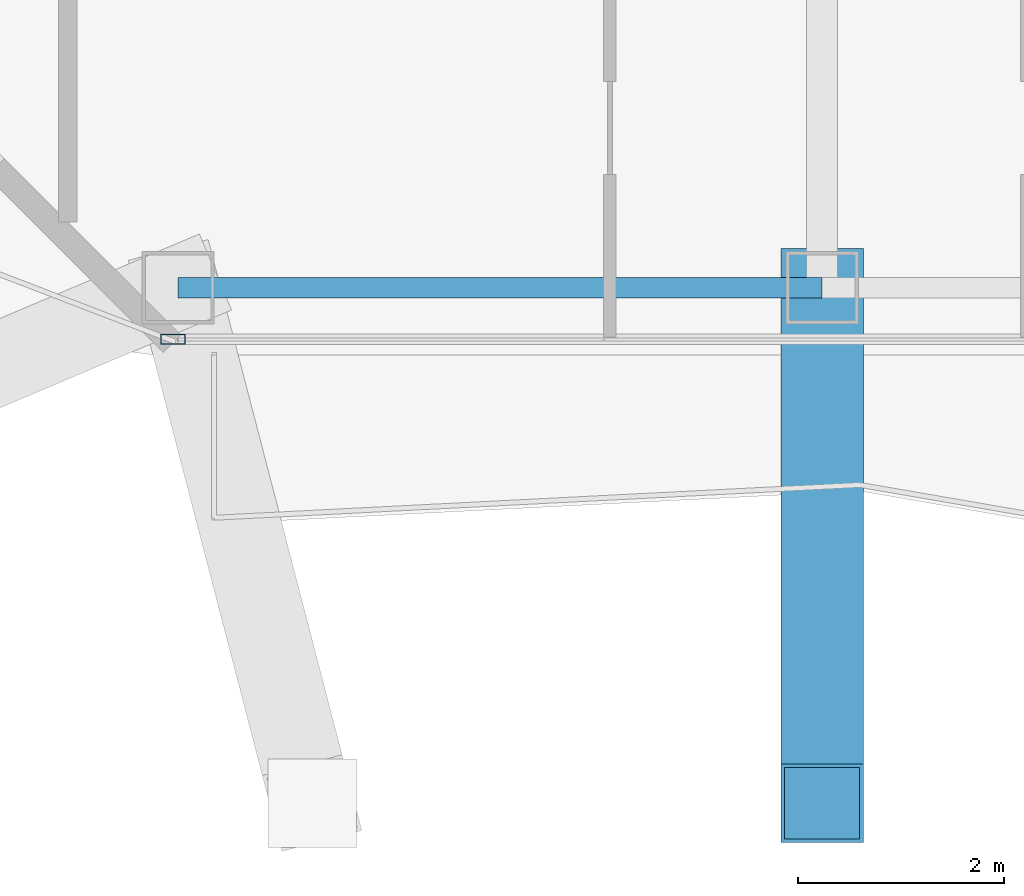
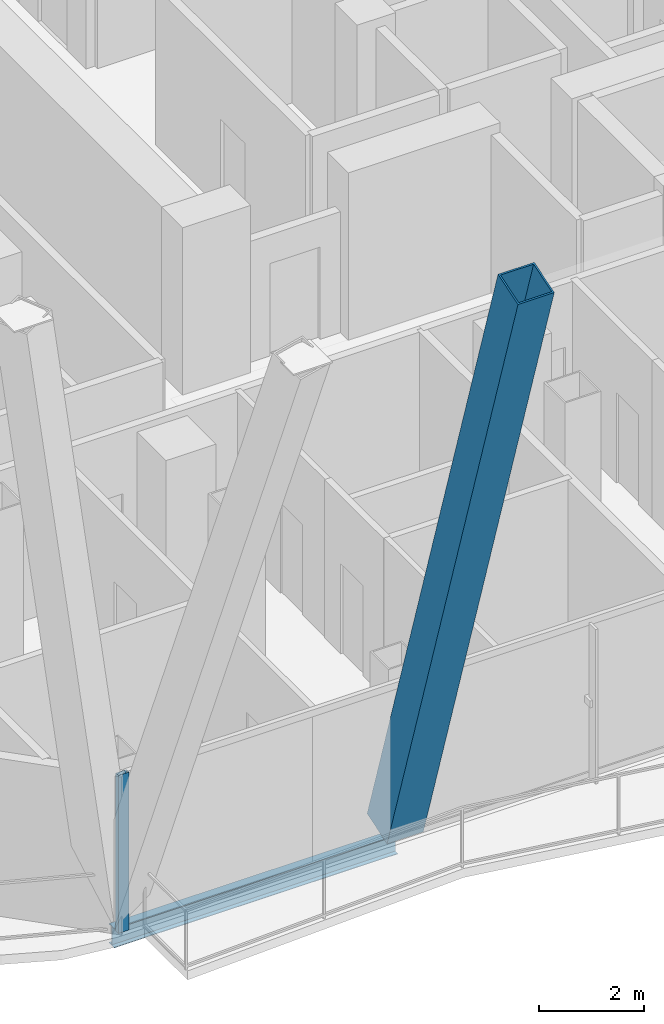
# One storey, part 2 of 34: 2 members, 1 beam, 1 element without a shape of its own.
"""IFC4 building model written with IfcOpenShell, lengths in metres."""

from ifc_helpers import new_model, si_unit, direction, frame, origin, origin_2d, place, context, subcontext, project, spatial, hollow_rectangle, i_section, extrude, material, layer, layer_set, material_profile, profile_set, type_object, element, aggregate, save


model = new_model("IFC4")

# Units and contexts
model_context = context("Model", 3, precision=1e-05, world=origin(), true_north=direction((0.0, 1.0)))
body_context = subcontext(model_context, "Body", "Model", "MODEL_VIEW")
ifc_project = project(units=[si_unit("LENGTHUNIT", "METRE"), si_unit("AREAUNIT", "SQUARE_METRE"), si_unit("VOLUMEUNIT", "CUBIC_METRE"), si_unit("PLANEANGLEUNIT", "RADIAN"), si_unit("MASSUNIT", "GRAM", prefix="KILO")], contexts=[model_context])

# Site, building, storey
site_placement = place(None, origin())
site = spatial("IfcSite", under=ifc_project, at=site_placement, CompositionType="ELEMENT")
building_placement = place(site_placement, origin())
building = spatial("IfcBuilding", under=site, at=building_placement, Name="Khorvyn Point Tower", CompositionType="ELEMENT")
storey_placement = place(building_placement, frame((0.0, 0.0, 175.800048828125)))
storey = spatial("IfcBuildingStorey", under=building, at=storey_placement, Name="L43", CompositionType="ELEMENT", Elevation=175.800048828125)

# Curtain wall, member
ifc_material_1 = material(Name="Anodised aluminium 6063-T6 and laminated Low-E glass", Category="aluminium")
ifc_layer = layer(ifc_material_1, 0.18994140625)
ifc_layer_set = layer_set([ifc_layer], Name="Stick-Built Acoustic Curtain Wall CW-SYS-03")
curtain_wall_type = type_object("IfcCurtainWallType", Name="Stick-Built Acoustic Curtain Wall CW-SYS-03", PredefinedType="NOTDEFINED", material=ifc_layer_set)
curtain_wall_placement = place(storey_placement, origin())
curtain_wall = element("IfcCurtainWall", 1, at=curtain_wall_placement, inside=storey, type_object=curtain_wall_type, Name="Curtain Wall", PredefinedType="NOTDEFINED")
ifc_material_2 = material(Name="Anodised aluminium 6063-T6", Category="aluminium")
ifc_material_profile_1 = material_profile(ifc_material_2, hollow_rectangle(XDim=0.10009765625, YDim=0.239990234375, WallThickness=0.0048828125, at=origin_2d()))
ifc_profile_set_1 = profile_set([ifc_material_profile_1], Name="Anodised aluminium 6063-T6 ALU-MUL-100x240")
member_type_1 = type_object("IfcMemberType", Name="Anodised Aluminium 6063-T6 Mullion ALU-MUL-100x240", PredefinedType="MULLION", material=ifc_profile_set_1)
member_1_placement = place(storey_placement, frame((-21.10009765625, -23.64990234375, 0.0), z_axis=(0.0, 0.0, 1.0), x_axis=(0.0, -1.0, 0.0)))
member_1 = element("IfcMember", 2, at=member_1_placement, type_object=member_type_1, Name="Transom", PredefinedType="MULLION", context=body_context, shape_type="SweptSolid", body=[
    extrude(hollow_rectangle(XDim=0.10009765625, YDim=0.239990234375, WallThickness=0.0048828125, at=origin_2d()), origin(), (0.0, 0.0, 1.0), 3.679931640625),
])
aggregate(curtain_wall, [member_1])

# Beam
ifc_material_3 = material(Name="Steel S355", Category="steel")
ifc_material_profile_2 = material_profile(ifc_material_3, i_section(OverallWidth=0.199951171875, OverallDepth=0.449951171875, WebThickness=0.009033203125, FlangeThickness=0.013916015625, at=origin_2d()))
ifc_profile_set_2 = profile_set([ifc_material_profile_2], Name="Steel S355 H450x200x9x14")
beam_type = type_object("IfcBeamType", Name="Steel S355 Spandrel H450x200x9x14", PredefinedType="SPANDREL", material=ifc_profile_set_2)
beam_placement = place(storey_placement, frame((-21.050048828125, -23.14990234375, -0.445068359375), z_axis=(1.0, 0.0, 0.0), x_axis=(0.0, 1.0, 0.0)))
element("IfcBeam", 3, at=beam_placement, inside=storey, type_object=beam_type, Name="Beam", PredefinedType="SPANDREL", context=body_context, shape_type="SweptSolid", body=[
    extrude(i_section(OverallWidth=0.199951171875, OverallDepth=0.449951171875, WebThickness=0.009033203125, FlangeThickness=0.013916015625, at=origin_2d()), origin(), (0.0, 0.0, 1.0), 6.25),
])

# Member
ifc_material_4 = material(Name="Steel S450", Category="steel")
ifc_material_profile_3 = material_profile(ifc_material_4, hollow_rectangle(XDim=0.800048828125, YDim=0.800048828125, WallThickness=0.035888671875, at=origin_2d()))
ifc_profile_set_3 = profile_set([ifc_material_profile_3], Name="Steel S450 BOX800x800x36")
member_type_2 = type_object("IfcMemberType", Name="Steel S450 Exoskeleton Structural Post BOX800x800x36", PredefinedType="POST", material=ifc_profile_set_3)
member_2_placement = place(storey_placement, frame((-14.800048828125, -23.14990234375, 0.0), z_axis=(0.0, -0.305221281103, 0.952281455013), x_axis=(1.0, 0.0, 0.0)))
element("IfcMember", 4, at=member_2_placement, inside=storey, type_object=member_type_2, Name="L43 to L47 Exoskeleton Transfer Post 07", PredefinedType="POST", context=body_context, shape_type="SweptSolid", body=[
    extrude(hollow_rectangle(XDim=0.800048828125, YDim=0.800048828125, WallThickness=0.035888671875, at=origin_2d()), origin(), (0.0, 0.0, 1.0), 16.381591796875),
])

save(model, "model.ifc")
